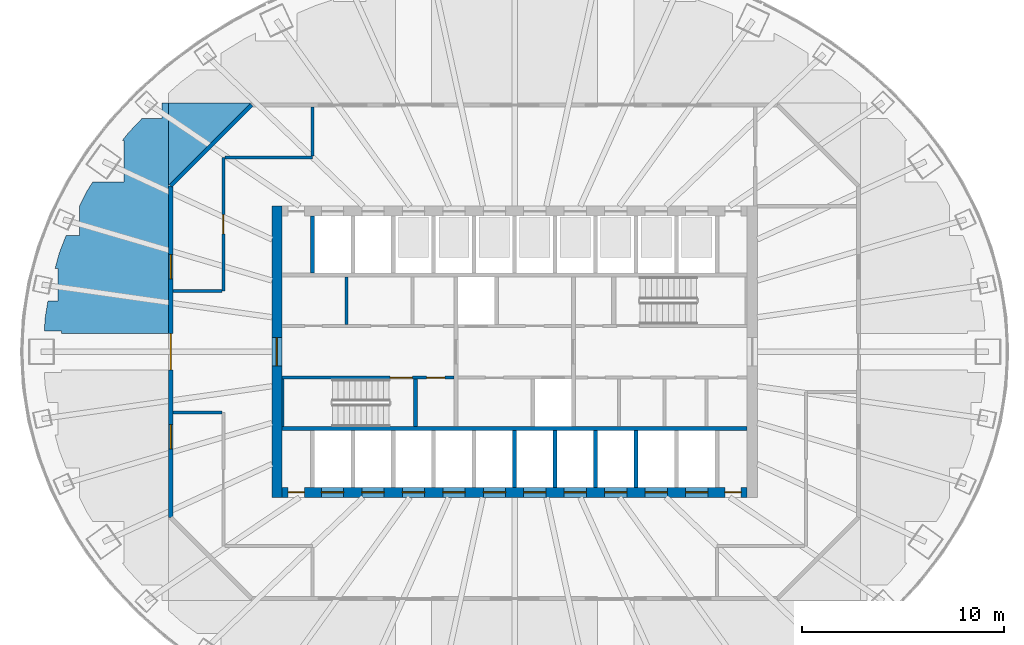
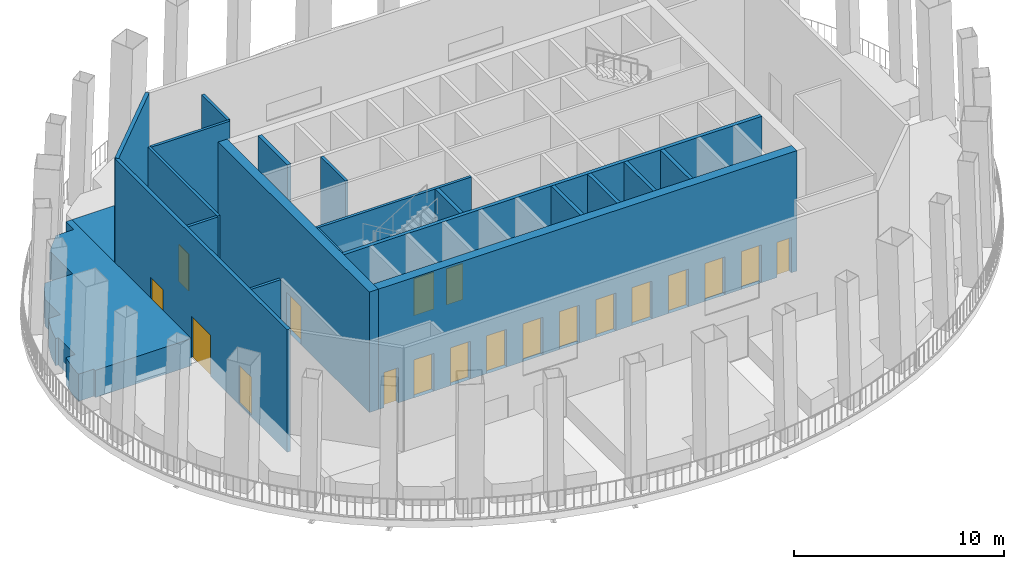
# One storey, part 4 of 15: 21 walls, 17 doors, 2 windows, 19 openings.
"""IFC4 building model written with IfcOpenShell, lengths in metres."""

from ifc_helpers import new_model, si_unit, direction, frame, frame_2d, origin, place, context, subcontext, project, spatial, polyline, rectangle, outline, extrude, material, layer, layer_set, type_object, element, fill, save


model = new_model("IFC4")

# Units and contexts
model_context = context("Model", 3, precision=1e-05, world=origin(), true_north=direction((0.0, 1.0)))
body_context = subcontext(model_context, "Body", "Model", "MODEL_VIEW")
ifc_project = project(units=[si_unit("LENGTHUNIT", "METRE"), si_unit("AREAUNIT", "SQUARE_METRE"), si_unit("VOLUMEUNIT", "CUBIC_METRE"), si_unit("PLANEANGLEUNIT", "RADIAN"), si_unit("MASSUNIT", "GRAM", prefix="KILO")], contexts=[model_context])

# Site, building, storey
site_placement = place(None, origin())
site = spatial("IfcSite", under=ifc_project, at=site_placement, CompositionType="ELEMENT")
building_placement = place(site_placement, origin())
building = spatial("IfcBuilding", under=site, at=building_placement, Name="Siaravel Broadcast Tower", CompositionType="ELEMENT")
storey_placement = place(building_placement, frame((0.0, 0.0, 145.199951171875)))
storey = spatial("IfcBuildingStorey", under=building, at=storey_placement, Name="L35", CompositionType="ELEMENT", Elevation=145.199951171875)

# Wall
ifc_material_1 = material(Name="Concrete blockwork", Category="masonry")
ifc_layer_1 = layer(ifc_material_1, 0.14990234375)
ifc_layer_set_1 = layer_set([ifc_layer_1], Name="Concrete blockwork")
wall_type_1 = type_object("IfcWallType", Name="Core partition 150", PredefinedType="PARTITIONING", material=ifc_layer_set_1)
wall_1_placement = place(storey_placement, frame((-8.30908203125, 1.35009765625, 0.0), z_axis=(0.0, 0.0, 1.0), x_axis=(0.0, 1.0, 0.0)))
element("IfcWall", 1, at=wall_1_placement, inside=storey, type_object=wall_type_1, Name="L35 core partition PNW0", PredefinedType="PARTITIONING", context=body_context, shape_type="SweptSolid", body=[
    extrude(rectangle(XDim=2.349853515625, YDim=0.14990234375, at=frame_2d((1.1748046875, 0.0))), origin(), (0.0, 0.0, 1.0), 7.0),
])

# Wall, opening, door
ifc_material_2 = material(Name="Concrete C60/75", Category="concrete")
ifc_layer_2 = layer(ifc_material_2, 0.5)
ifc_layer_set_2 = layer_set([ifc_layer_2], Name="Concrete C60/75")
wall_type_2 = type_object("IfcWallType", Name="Core wall 500", PredefinedType="SHEAR", material=ifc_layer_set_2)
wall_2_placement = place(storey_placement, frame((-11.75, -7.199951171875, 0.0), z_axis=(0.0, 0.0, 1.0), x_axis=(0.0, 1.0, 0.0)))
wall_2 = element("IfcWall", 2, at=wall_2_placement, inside=storey, type_object=wall_type_2, Name="L35 core wall OW", PredefinedType="SHEAR", context=body_context, shape_type="SweptSolid", body=[
    extrude(rectangle(XDim=14.39990234375, YDim=0.5, at=frame_2d((7.199951171875, 0.0))), origin(), (0.0, 0.0, 1.0), 7.0),
])
opening_1_placement = place(wall_2_placement, frame((6.5, 0.0, 0.0)))
opening_1 = element("IfcOpeningElement", 3, at=opening_1_placement, cuts=wall_2, Name="Opening L35-DX-W", PredefinedType="OPENING", context=body_context, shape_type="SweptSolid", body=[
    extrude(rectangle(XDim=1.39990234375, YDim=2.199951171875, at=frame_2d((0.699951171875, 1.10009765625))), frame((0.0, 0.260009765625, 0.0), z_axis=(0.0, -1.0, 0.0), x_axis=(1.0, 0.0, 0.0)), (0.0, 0.0, 1.0), 0.52001953125),
])
ifc_material_3 = material(Name="Steel", Category="steel")
door_type_1 = type_object("IfcDoorType", Name="Core exit door 1400", OperationType="DOUBLE_DOOR_SINGLE_SWING", PredefinedType="DOOR", material=ifc_material_3)
door_1_placement = place(opening_1_placement, origin())
door_1 = element("IfcDoor", 4, at=door_1_placement, inside=storey, type_object=door_type_1, Name="L35 door DX-W", OperationType="DOUBLE_DOOR_SINGLE_SWING", OverallHeight=2.199951171875, OverallWidth=1.39990234375, PredefinedType="DOOR", context=body_context, shape_type="SweptSolid", body=[
    extrude(rectangle(XDim=1.39990234375, YDim=2.199951171875, at=frame_2d((0.699951171875, 1.10009765625))), frame((0.0, 0.02490234375, 0.0), z_axis=(0.0, -1.0, 0.0), x_axis=(1.0, 0.0, 0.0)), (0.0, 0.0, 1.0), 0.050048828125),
])
fill(opening_1, door_1)

# Wall, openings, doors
wall_3_placement = place(storey_placement, frame((-11.5, -6.949951171875, 0.0), z_axis=(0.0, 0.0, 1.0), x_axis=(1.0, 0.0, 0.0)))
wall_3 = element("IfcWall", 5, at=wall_3_placement, inside=storey, type_object=wall_type_2, Name="L35 core wall OS", PredefinedType="SHEAR", context=body_context, shape_type="SweptSolid", body=[
    extrude(rectangle(XDim=23.0, YDim=0.5, at=frame_2d((11.5, 0.0))), origin(), (0.0, 0.0, 1.0), 7.0),
])
opening_2_placement = place(wall_3_placement, frame((1.949951171875, 0.0, 0.0)))
opening_2 = element("IfcOpeningElement", 6, at=opening_2_placement, cuts=wall_3, Name="Opening LD-LP1-L35", PredefinedType="OPENING", context=body_context, shape_type="SweptSolid", body=[
    extrude(rectangle(XDim=1.10009765625, YDim=2.199951171875, at=frame_2d((0.550048828125, 1.10009765625))), frame((0.0, 0.260009765625, 0.0), z_axis=(0.0, -1.0, 0.0), x_axis=(1.0, 0.0, 0.0)), (0.0, 0.0, 1.0), 0.52001953125),
])
opening_3_placement = place(wall_3_placement, frame((3.949951171875, 0.0, 0.0)))
opening_3 = element("IfcOpeningElement", 7, at=opening_3_placement, cuts=wall_3, Name="Opening LD-LP2-L35", PredefinedType="OPENING", context=body_context, shape_type="SweptSolid", body=[
    extrude(rectangle(XDim=1.10009765625, YDim=2.199951171875, at=frame_2d((0.550048828125, 1.10009765625))), frame((0.0, 0.260009765625, 0.0), z_axis=(0.0, -1.0, 0.0), x_axis=(1.0, 0.0, 0.0)), (0.0, 0.0, 1.0), 0.52001953125),
])
opening_4_placement = place(wall_3_placement, frame((5.949951171875, 0.0, 0.0)))
opening_4 = element("IfcOpeningElement", 8, at=opening_4_placement, cuts=wall_3, Name="Opening LD-LP3-L35", PredefinedType="OPENING", context=body_context, shape_type="SweptSolid", body=[
    extrude(rectangle(XDim=1.10009765625, YDim=2.199951171875, at=frame_2d((0.550048828125, 1.10009765625))), frame((0.0, 0.260009765625, 0.0), z_axis=(0.0, -1.0, 0.0), x_axis=(1.0, 0.0, 0.0)), (0.0, 0.0, 1.0), 0.52001953125),
])
opening_5_placement = place(wall_3_placement, frame((7.949951171875, 0.0, 0.0)))
opening_5 = element("IfcOpeningElement", 9, at=opening_5_placement, cuts=wall_3, Name="Opening LD-LP4-L35", PredefinedType="OPENING", context=body_context, shape_type="SweptSolid", body=[
    extrude(rectangle(XDim=1.10009765625, YDim=2.199951171875, at=frame_2d((0.550048828125, 1.10009765625))), frame((0.0, 0.260009765625, 0.0), z_axis=(0.0, -1.0, 0.0), x_axis=(1.0, 0.0, 0.0)), (0.0, 0.0, 1.0), 0.52001953125),
])
opening_6_placement = place(wall_3_placement, frame((9.949951171875, 0.0, 0.0)))
opening_6 = element("IfcOpeningElement", 10, at=opening_6_placement, cuts=wall_3, Name="Opening LD-LP5-L35", PredefinedType="OPENING", context=body_context, shape_type="SweptSolid", body=[
    extrude(rectangle(XDim=1.10009765625, YDim=2.199951171875, at=frame_2d((0.550048828125, 1.10009765625))), frame((0.0, 0.260009765625, 0.0), z_axis=(0.0, -1.0, 0.0), x_axis=(1.0, 0.0, 0.0)), (0.0, 0.0, 1.0), 0.52001953125),
])
opening_7_placement = place(wall_3_placement, frame((11.949951171875, 0.0, 0.0)))
opening_7 = element("IfcOpeningElement", 11, at=opening_7_placement, cuts=wall_3, Name="Opening LD-LP6-L35", PredefinedType="OPENING", context=body_context, shape_type="SweptSolid", body=[
    extrude(rectangle(XDim=1.10009765625, YDim=2.199951171875, at=frame_2d((0.550048828125, 1.10009765625))), frame((0.0, 0.260009765625, 0.0), z_axis=(0.0, -1.0, 0.0), x_axis=(1.0, 0.0, 0.0)), (0.0, 0.0, 1.0), 0.52001953125),
])
opening_8_placement = place(wall_3_placement, frame((13.949951171875, 0.0, 0.0)))
opening_8 = element("IfcOpeningElement", 12, at=opening_8_placement, cuts=wall_3, Name="Opening LD-LP7-L35", PredefinedType="OPENING", context=body_context, shape_type="SweptSolid", body=[
    extrude(rectangle(XDim=1.10009765625, YDim=2.199951171875, at=frame_2d((0.550048828125, 1.10009765625))), frame((0.0, 0.260009765625, 0.0), z_axis=(0.0, -1.0, 0.0), x_axis=(1.0, 0.0, 0.0)), (0.0, 0.0, 1.0), 0.52001953125),
])
opening_9_placement = place(wall_3_placement, frame((15.949951171875, 0.0, 0.0)))
opening_9 = element("IfcOpeningElement", 13, at=opening_9_placement, cuts=wall_3, Name="Opening LD-LP8-L35", PredefinedType="OPENING", context=body_context, shape_type="SweptSolid", body=[
    extrude(rectangle(XDim=1.10009765625, YDim=2.199951171875, at=frame_2d((0.550048828125, 1.10009765625))), frame((0.0, 0.260009765625, 0.0), z_axis=(0.0, -1.0, 0.0), x_axis=(1.0, 0.0, 0.0)), (0.0, 0.0, 1.0), 0.52001953125),
])
opening_10_placement = place(wall_3_placement, frame((17.949951171875, 0.0, 0.0)))
opening_10 = element("IfcOpeningElement", 14, at=opening_10_placement, cuts=wall_3, Name="Opening LD-SH1-L35", PredefinedType="OPENING", context=body_context, shape_type="SweptSolid", body=[
    extrude(rectangle(XDim=1.10009765625, YDim=2.199951171875, at=frame_2d((0.550048828125, 1.10009765625))), frame((0.0, 0.260009765625, 0.0), z_axis=(0.0, -1.0, 0.0), x_axis=(1.0, 0.0, 0.0)), (0.0, 0.0, 1.0), 0.52001953125),
])
opening_11_placement = place(wall_3_placement, frame((19.949951171875, 0.0, 0.0)))
opening_11 = element("IfcOpeningElement", 15, at=opening_11_placement, cuts=wall_3, Name="Opening LD-SV1-L35", PredefinedType="OPENING", context=body_context, shape_type="SweptSolid", body=[
    extrude(rectangle(XDim=1.10009765625, YDim=2.199951171875, at=frame_2d((0.550048828125, 1.10009765625))), frame((0.0, 0.260009765625, 0.0), z_axis=(0.0, -1.0, 0.0), x_axis=(1.0, 0.0, 0.0)), (0.0, 0.0, 1.0), 0.52001953125),
])
opening_12_placement = place(wall_3_placement, frame((0.300048828125, 0.0, 0.0)))
opening_12 = element("IfcOpeningElement", 16, at=opening_12_placement, cuts=wall_3, Name="Opening L35-DRSW", PredefinedType="OPENING", context=body_context, shape_type="SweptSolid", body=[
    extrude(rectangle(XDim=0.800048828125, YDim=2.050048828125, at=frame_2d((0.39990234375, 1.02490234375))), frame((0.0, 0.260009765625, 0.0), z_axis=(0.0, -1.0, 0.0), x_axis=(1.0, 0.0, 0.0)), (0.0, 0.0, 1.0), 0.52001953125),
])
opening_13_placement = place(wall_3_placement, frame((21.89990234375, 0.0, 0.0)))
opening_13 = element("IfcOpeningElement", 17, at=opening_13_placement, cuts=wall_3, Name="Opening L35-DRSE", PredefinedType="OPENING", context=body_context, shape_type="SweptSolid", body=[
    extrude(rectangle(XDim=0.800048828125, YDim=2.050048828125, at=frame_2d((0.39990234375, 1.02490234375))), frame((0.0, 0.260009765625, 0.0), z_axis=(0.0, -1.0, 0.0), x_axis=(1.0, 0.0, 0.0)), (0.0, 0.0, 1.0), 0.52001953125),
])
ifc_material_4 = material(Name="Stainless steel 316L", Category="steel")
door_type_2 = type_object("IfcDoorType", Name="Lift landing door 1100", OperationType="DOUBLE_DOOR_SLIDING", PredefinedType="DOOR", material=ifc_material_4)
door_2_placement = place(opening_2_placement, origin())
door_2 = element("IfcDoor", 18, at=door_2_placement, inside=storey, type_object=door_type_2, Name="Landing door LP1 L35", OperationType="DOUBLE_DOOR_SLIDING", OverallHeight=2.199951171875, OverallWidth=1.10009765625, PredefinedType="DOOR", context=body_context, shape_type="SweptSolid", body=[
    extrude(rectangle(XDim=1.10009765625, YDim=2.199951171875, at=frame_2d((0.550048828125, 1.10009765625))), frame((0.0, 0.02490234375, 0.0), z_axis=(0.0, -1.0, 0.0), x_axis=(1.0, 0.0, 0.0)), (0.0, 0.0, 1.0), 0.050048828125),
])
fill(opening_2, door_2)
door_3_placement = place(opening_3_placement, origin())
door_3 = element("IfcDoor", 19, at=door_3_placement, inside=storey, type_object=door_type_2, Name="Landing door LP2 L35", OperationType="DOUBLE_DOOR_SLIDING", OverallHeight=2.199951171875, OverallWidth=1.10009765625, PredefinedType="DOOR", context=body_context, shape_type="SweptSolid", body=[
    extrude(rectangle(XDim=1.10009765625, YDim=2.199951171875, at=frame_2d((0.550048828125, 1.10009765625))), frame((0.0, 0.02490234375, 0.0), z_axis=(0.0, -1.0, 0.0), x_axis=(1.0, 0.0, 0.0)), (0.0, 0.0, 1.0), 0.050048828125),
])
fill(opening_3, door_3)
door_4_placement = place(opening_4_placement, origin())
door_4 = element("IfcDoor", 20, at=door_4_placement, inside=storey, type_object=door_type_2, Name="Landing door LP3 L35", OperationType="DOUBLE_DOOR_SLIDING", OverallHeight=2.199951171875, OverallWidth=1.10009765625, PredefinedType="DOOR", context=body_context, shape_type="SweptSolid", body=[
    extrude(rectangle(XDim=1.10009765625, YDim=2.199951171875, at=frame_2d((0.550048828125, 1.10009765625))), frame((0.0, 0.02490234375, 0.0), z_axis=(0.0, -1.0, 0.0), x_axis=(1.0, 0.0, 0.0)), (0.0, 0.0, 1.0), 0.050048828125),
])
fill(opening_4, door_4)
door_5_placement = place(opening_5_placement, origin())
door_5 = element("IfcDoor", 21, at=door_5_placement, inside=storey, type_object=door_type_2, Name="Landing door LP4 L35", OperationType="DOUBLE_DOOR_SLIDING", OverallHeight=2.199951171875, OverallWidth=1.10009765625, PredefinedType="DOOR", context=body_context, shape_type="SweptSolid", body=[
    extrude(rectangle(XDim=1.10009765625, YDim=2.199951171875, at=frame_2d((0.550048828125, 1.10009765625))), frame((0.0, 0.02490234375, 0.0), z_axis=(0.0, -1.0, 0.0), x_axis=(1.0, 0.0, 0.0)), (0.0, 0.0, 1.0), 0.050048828125),
])
fill(opening_5, door_5)
door_6_placement = place(opening_6_placement, origin())
door_6 = element("IfcDoor", 22, at=door_6_placement, inside=storey, type_object=door_type_2, Name="Landing door LP5 L35", OperationType="DOUBLE_DOOR_SLIDING", OverallHeight=2.199951171875, OverallWidth=1.10009765625, PredefinedType="DOOR", context=body_context, shape_type="SweptSolid", body=[
    extrude(rectangle(XDim=1.10009765625, YDim=2.199951171875, at=frame_2d((0.550048828125, 1.10009765625))), frame((0.0, 0.02490234375, 0.0), z_axis=(0.0, -1.0, 0.0), x_axis=(1.0, 0.0, 0.0)), (0.0, 0.0, 1.0), 0.050048828125),
])
fill(opening_6, door_6)
door_7_placement = place(opening_7_placement, origin())
door_7 = element("IfcDoor", 23, at=door_7_placement, inside=storey, type_object=door_type_2, Name="Landing door LP6 L35", OperationType="DOUBLE_DOOR_SLIDING", OverallHeight=2.199951171875, OverallWidth=1.10009765625, PredefinedType="DOOR", context=body_context, shape_type="SweptSolid", body=[
    extrude(rectangle(XDim=1.10009765625, YDim=2.199951171875, at=frame_2d((0.550048828125, 1.10009765625))), frame((0.0, 0.02490234375, 0.0), z_axis=(0.0, -1.0, 0.0), x_axis=(1.0, 0.0, 0.0)), (0.0, 0.0, 1.0), 0.050048828125),
])
fill(opening_7, door_7)
door_8_placement = place(opening_8_placement, origin())
door_8 = element("IfcDoor", 24, at=door_8_placement, inside=storey, type_object=door_type_2, Name="Landing door LP7 L35", OperationType="DOUBLE_DOOR_SLIDING", OverallHeight=2.199951171875, OverallWidth=1.10009765625, PredefinedType="DOOR", context=body_context, shape_type="SweptSolid", body=[
    extrude(rectangle(XDim=1.10009765625, YDim=2.199951171875, at=frame_2d((0.550048828125, 1.10009765625))), frame((0.0, 0.02490234375, 0.0), z_axis=(0.0, -1.0, 0.0), x_axis=(1.0, 0.0, 0.0)), (0.0, 0.0, 1.0), 0.050048828125),
])
fill(opening_8, door_8)
door_9_placement = place(opening_9_placement, origin())
door_9 = element("IfcDoor", 25, at=door_9_placement, inside=storey, type_object=door_type_2, Name="Landing door LP8 L35", OperationType="DOUBLE_DOOR_SLIDING", OverallHeight=2.199951171875, OverallWidth=1.10009765625, PredefinedType="DOOR", context=body_context, shape_type="SweptSolid", body=[
    extrude(rectangle(XDim=1.10009765625, YDim=2.199951171875, at=frame_2d((0.550048828125, 1.10009765625))), frame((0.0, 0.02490234375, 0.0), z_axis=(0.0, -1.0, 0.0), x_axis=(1.0, 0.0, 0.0)), (0.0, 0.0, 1.0), 0.050048828125),
])
fill(opening_9, door_9)
door_10_placement = place(opening_10_placement, origin())
door_10 = element("IfcDoor", 26, at=door_10_placement, inside=storey, type_object=door_type_2, Name="Landing door SH1 L35", OperationType="DOUBLE_DOOR_SLIDING", OverallHeight=2.199951171875, OverallWidth=1.10009765625, PredefinedType="DOOR", context=body_context, shape_type="SweptSolid", body=[
    extrude(rectangle(XDim=1.10009765625, YDim=2.199951171875, at=frame_2d((0.550048828125, 1.10009765625))), frame((0.0, 0.02490234375, 0.0), z_axis=(0.0, -1.0, 0.0), x_axis=(1.0, 0.0, 0.0)), (0.0, 0.0, 1.0), 0.050048828125),
])
fill(opening_10, door_10)
door_type_3 = type_object("IfcDoorType", Name="Riser door 800", OperationType="SINGLE_SWING_LEFT", PredefinedType="DOOR", material=ifc_material_3)
door_11_placement = place(opening_12_placement, origin())
door_11 = element("IfcDoor", 27, at=door_11_placement, inside=storey, type_object=door_type_3, Name="L35 door DRSW", OperationType="SINGLE_SWING_LEFT", OverallHeight=2.050048828125, OverallWidth=0.800048828125, PredefinedType="DOOR", context=body_context, shape_type="SweptSolid", body=[
    extrude(rectangle(XDim=0.800048828125, YDim=2.050048828125, at=frame_2d((0.39990234375, 1.02490234375))), frame((0.0, 0.02490234375, 0.0), z_axis=(0.0, -1.0, 0.0), x_axis=(1.0, 0.0, 0.0)), (0.0, 0.0, 1.0), 0.050048828125),
])
fill(opening_12, door_11)
door_12_placement = place(opening_13_placement, origin())
door_12 = element("IfcDoor", 28, at=door_12_placement, inside=storey, type_object=door_type_3, Name="L35 door DRSE", OperationType="SINGLE_SWING_LEFT", OverallHeight=2.050048828125, OverallWidth=0.800048828125, PredefinedType="DOOR", context=body_context, shape_type="SweptSolid", body=[
    extrude(rectangle(XDim=0.800048828125, YDim=2.050048828125, at=frame_2d((0.39990234375, 1.02490234375))), frame((0.0, 0.02490234375, 0.0), z_axis=(0.0, -1.0, 0.0), x_axis=(1.0, 0.0, 0.0)), (0.0, 0.0, 1.0), 0.050048828125),
])
fill(opening_13, door_12)
door_type_4 = type_object("IfcDoorType", Name="Service lift landing door 1100", OperationType="DOUBLE_DOOR_SLIDING", PredefinedType="DOOR", material=ifc_material_4)
door_13_placement = place(opening_11_placement, origin())
door_13 = element("IfcDoor", 29, at=door_13_placement, inside=storey, type_object=door_type_4, Name="Landing door SV1 L35", OperationType="DOUBLE_DOOR_SLIDING", OverallHeight=2.199951171875, OverallWidth=1.10009765625, PredefinedType="DOOR", context=body_context, shape_type="SweptSolid", body=[
    extrude(rectangle(XDim=1.10009765625, YDim=2.199951171875, at=frame_2d((0.550048828125, 1.10009765625))), frame((0.0, 0.02490234375, 0.0), z_axis=(0.0, -1.0, 0.0), x_axis=(1.0, 0.0, 0.0)), (0.0, 0.0, 1.0), 0.050048828125),
])
fill(opening_11, door_13)

# Wall, opening, door
ifc_material_5 = material(Name="Gypsum board partition", Category="gypsum")
ifc_layer_3 = layer(ifc_material_5, 0.14990234375)
ifc_layer_set_3 = layer_set([ifc_layer_3], Name="Gypsum board partition")
wall_type_3 = type_object("IfcWallType", Name="Corridor wall 150", PredefinedType="PARTITIONING", material=ifc_layer_set_3)
wall_4_placement = place(storey_placement, frame((-14.39990234375, 3.0, 0.0), z_axis=(0.0, 0.0, 1.0), x_axis=(0.0, 1.0, 0.0)))
wall_4 = element("IfcWall", 30, at=wall_4_placement, inside=storey, type_object=wall_type_3, Name="L35 partition 3", PredefinedType="PARTITIONING", context=body_context, shape_type="SweptSolid", body=[
    extrude(rectangle(XDim=6.60009765625, YDim=0.14990234375, at=frame_2d((3.300048828125, 0.0))), origin(), (0.0, 0.0, 1.0), 6.10009765625),
])
opening_14_placement = place(wall_4_placement, frame((2.824951171875, 0.0, 0.0)))
opening_14 = element("IfcOpeningElement", 31, at=opening_14_placement, cuts=wall_4, Name="Opening L35-002", PredefinedType="OPENING", context=body_context, shape_type="SweptSolid", body=[
    extrude(rectangle(XDim=0.949951171875, YDim=2.14990234375, at=frame_2d((0.47509765625, 1.074951171875))), frame((0.0, 0.0849609375, 0.0), z_axis=(0.0, -1.0, 0.0), x_axis=(1.0, 0.0, 0.0)), (0.0, 0.0, 1.0), 0.169921875),
])
ifc_material_6 = material(Name="Timber veneer", Category="wood")
door_type_5 = type_object("IfcDoorType", Name="Office door 950", OperationType="SINGLE_SWING_LEFT", PredefinedType="DOOR", material=ifc_material_6)
door_14_placement = place(opening_14_placement, origin())
door_14 = element("IfcDoor", 32, at=door_14_placement, inside=storey, type_object=door_type_5, Name="L35 door to Presenter studio", OperationType="SINGLE_SWING_RIGHT", OverallHeight=2.14990234375, OverallWidth=0.949951171875, PredefinedType="DOOR", context=body_context, shape_type="SweptSolid", body=[
    extrude(rectangle(XDim=0.949951171875, YDim=2.14990234375, at=frame_2d((0.47509765625, 1.074951171875))), frame((0.0, 0.02490234375, 0.0), z_axis=(0.0, -1.0, 0.0), x_axis=(1.0, 0.0, 0.0)), (0.0, 0.0, 1.0), 0.050048828125),
])
fill(opening_14, door_14)

# Walls
wall_5_placement = place(storey_placement, frame((-14.322998046875, 9.60009765625, 0.0), z_axis=(0.0, 0.0, 1.0), x_axis=(1.0, 0.0, 0.0)))
element("IfcWall", 33, at=wall_5_placement, inside=storey, type_object=wall_type_3, Name="L35 partition 6", PredefinedType="PARTITIONING", context=body_context, shape_type="SweptSolid", body=[
    extrude(rectangle(XDim=4.322998046875, YDim=0.14990234375, at=frame_2d((2.16162109375, 0.0))), origin(), (0.0, 0.0, 1.0), 6.10009765625),
])
wall_6_placement = place(storey_placement, frame((-10.0, 9.677001953125, 0.0), z_axis=(0.0, 0.0, 1.0), x_axis=(0.0, 1.0, 0.0)))
element("IfcWall", 34, at=wall_6_placement, inside=storey, type_object=wall_type_3, Name="L35 partition 10", PredefinedType="PARTITIONING", context=body_context, shape_type="SweptSolid", body=[
    extrude(rectangle(XDim=2.423095703125, YDim=0.14990234375, at=frame_2d((1.21142578125, 0.0))), origin(), (0.0, 0.0, 1.0), 6.10009765625),
])
for number, where, z_axis, x_axis, name in (
    (35, (-16.89990234375, 3.0, 0.0), (0.0, 0.0, 1.0), (1.0, 0.0, 0.0), "L35 partition 12"),
    (36, (-14.47705078125, -3.0, 0.0), (0.0, 0.0, 1.0), (-1.0, 0.0, 0.0), "L35 partition 13"),
):
    element("IfcWall", number, at=place(storey_placement, frame(where, z_axis=z_axis, x_axis=x_axis)), inside=storey, type_object=wall_type_3, Name=name, PredefinedType="PARTITIONING", context=body_context, shape_type="SweptSolid", body=[
        extrude(rectangle(XDim=2.4228515625, YDim=0.14990234375, at=frame_2d((1.21142578125, 0.0))), origin(), (0.0, 0.0, 1.0), 6.10009765625),
    ])
ifc_material_7 = material(Name="Concrete C40/50", Category="concrete")
ifc_layer_4 = layer(ifc_material_7, 1.0)
ifc_layer_set_4 = layer_set([ifc_layer_4], Name="Concrete C40/50")
wall_type_4 = type_object("IfcWallType", Name="Garden planter box", PredefinedType="ELEMENTEDWALL", material=ifc_layer_set_4)
wall_7_placement = place(storey_placement, frame((0.0, 0.0, -0.39990234375)))
element("IfcWall", 37, at=wall_7_placement, inside=storey, type_object=wall_type_4, Name="L35 garden planting bed 08", PredefinedType="ELEMENTEDWALL", context=body_context, shape_type="SweptSolid", body=[
    extrude(outline(polyline([(-23.072265625, 2.518798828125), (-23.214111328125, 1.6455078125), (-23.24755859375, 1.02490234375), (-22.391845703125, 1.02490234375), (-22.391845703125, 0.89990234375), (-17.10009765625, 0.89990234375), (-17.10009765625, 8.241455078125), (-17.10009765625, 12.300048828125), (-17.422119140625, 12.300048828125), (-17.422119140625, 11.535888671875), (-18.418701171875, 11.535888671875), (-19.08837890625, 10.828857421875), (-19.400390625, 10.432373046875), (-19.30810546875, 10.432373046875), (-19.30810546875, 8.38232421875), (-20.8603515625, 8.38232421875), (-21.119384765625, 7.97900390625), (-21.507080078125, 7.220703125), (-21.507080078125, 5.74365234375), (-22.17529296875, 5.74365234375), (-22.5087890625, 4.886474609375), (-22.71875, 4.118896484375), (-22.562255859375, 4.118896484375), (-22.562255859375, 2.518798828125), (-23.072265625, 2.518798828125)])), origin(), (0.0, 0.0, 1.0), 1.579833984375),
])
wall_8_placement = place(storey_placement, frame((0.0, 0.0, -0.39990234375)))
element("IfcWall", 38, at=wall_8_placement, inside=storey, type_object=wall_type_4, Name="L35 garden planting bed 10", PredefinedType="ELEMENTEDWALL", context=body_context, shape_type="SweptSolid", body=[
    extrude(outline(polyline([(-13.04150390625, 12.300048828125), (-17.10009765625, 12.300048828125), (-17.10009765625, 8.241455078125), (-13.04150390625, 12.300048828125)])), origin(), (0.0, 0.0, 1.0), 1.579833984375),
])
ifc_layer_5 = layer(ifc_material_2, 0.10009765625)
ifc_layer_set_5 = layer_set([ifc_layer_5], Name="Concrete C60/75")
wall_type_5 = type_object("IfcWallType", Name="Shaft wall 100", PredefinedType="SHEAR", material=ifc_layer_set_5)
wall_9_placement = place(storey_placement, frame((-11.449951171875, -3.699951171875, 0.0), z_axis=(0.0, 0.0, 1.0), x_axis=(0.0, 1.0, 0.0)))
element("IfcWall", 39, at=wall_9_placement, inside=storey, type_object=wall_type_5, Name="L35 core wall ST1W", PredefinedType="SHEAR", context=body_context, shape_type="SweptSolid", body=[
    extrude(rectangle(XDim=2.349853515625, YDim=0.10009765625, at=frame_2d((1.1748046875, 0.0))), origin(), (0.0, 0.0, 1.0), 7.0),
])

# Wall, openings, doors
ifc_layer_6 = layer(ifc_material_2, 0.14990234375)
ifc_layer_set_6 = layer_set([ifc_layer_6], Name="Concrete C60/75")
wall_type_6 = type_object("IfcWallType", Name="Shaft wall 150", PredefinedType="SHEAR", material=ifc_layer_set_6)
wall_10_placement = place(storey_placement, frame((-11.5, -1.27490234375, 0.0), z_axis=(0.0, 0.0, 1.0), x_axis=(1.0, 0.0, 0.0)))
wall_10 = element("IfcWall", 40, at=wall_10_placement, inside=storey, type_object=wall_type_6, Name="L35 core wall CSW", PredefinedType="SHEAR", context=body_context, shape_type="SweptSolid", body=[
    extrude(rectangle(XDim=8.5, YDim=0.14990234375, at=frame_2d((4.25, 0.0))), origin(), (0.0, 0.0, 1.0), 7.0),
])
opening_15_placement = place(wall_10_placement, frame((5.35009765625, 0.0, 0.0)))
opening_15 = element("IfcOpeningElement", 41, at=opening_15_placement, cuts=wall_10, Name="Opening L35-DS-1", PredefinedType="OPENING", context=body_context, shape_type="SweptSolid", body=[
    extrude(rectangle(XDim=1.10009765625, YDim=2.14990234375, at=frame_2d((0.550048828125, 1.074951171875))), frame((0.0, 0.0849609375, 0.0), z_axis=(0.0, -1.0, 0.0), x_axis=(1.0, 0.0, 0.0)), (0.0, 0.0, 1.0), 0.169921875),
])
opening_16_placement = place(wall_10_placement, frame((7.14990234375, 0.0, 0.0)))
opening_16 = element("IfcOpeningElement", 42, at=opening_16_placement, cuts=wall_10, Name="Opening L35-DSW0", PredefinedType="OPENING", context=body_context, shape_type="SweptSolid", body=[
    extrude(rectangle(XDim=0.89990234375, YDim=2.10009765625, at=frame_2d((0.449951171875, 1.050048828125))), frame((0.0, 0.0849609375, 0.0), z_axis=(0.0, -1.0, 0.0), x_axis=(1.0, 0.0, 0.0)), (0.0, 0.0, 1.0), 0.169921875),
])
door_type_6 = type_object("IfcDoorType", Name="Core room door 900", OperationType="SINGLE_SWING_LEFT", PredefinedType="DOOR", material=ifc_material_6)
door_15_placement = place(opening_16_placement, origin())
door_15 = element("IfcDoor", 43, at=door_15_placement, inside=storey, type_object=door_type_6, Name="L35 door DSW0", OperationType="SINGLE_SWING_LEFT", OverallHeight=2.10009765625, OverallWidth=0.89990234375, PredefinedType="DOOR", context=body_context, shape_type="SweptSolid", body=[
    extrude(rectangle(XDim=0.89990234375, YDim=2.10009765625, at=frame_2d((0.449951171875, 1.050048828125))), frame((0.0, 0.02490234375, 0.0), z_axis=(0.0, -1.0, 0.0), x_axis=(1.0, 0.0, 0.0)), (0.0, 0.0, 1.0), 0.050048828125),
])
fill(opening_16, door_15)
door_type_7 = type_object("IfcDoorType", Name="Stair door 1100", OperationType="SINGLE_SWING_LEFT", PredefinedType="DOOR", material=ifc_material_3)
door_16_placement = place(opening_15_placement, origin())
door_16 = element("IfcDoor", 44, at=door_16_placement, inside=storey, type_object=door_type_7, Name="L35 door DS-1", OperationType="SINGLE_SWING_LEFT", OverallHeight=2.14990234375, OverallWidth=1.10009765625, PredefinedType="DOOR", context=body_context, shape_type="SweptSolid", body=[
    extrude(rectangle(XDim=1.10009765625, YDim=2.14990234375, at=frame_2d((0.550048828125, 1.074951171875))), frame((0.0, 0.02490234375, 0.0), z_axis=(0.0, -1.0, 0.0), x_axis=(1.0, 0.0, 0.0)), (0.0, 0.0, 1.0), 0.050048828125),
])
fill(opening_15, door_16)

# Walls
ifc_layer_7 = layer(ifc_material_2, 0.199951171875)
ifc_layer_set_7 = layer_set([ifc_layer_7], Name="Concrete C60/75")
wall_type_7 = type_object("IfcWallType", Name="Shaft wall 200", PredefinedType="SHEAR", material=ifc_layer_set_7)
wall_11_placement = place(storey_placement, frame((-11.5, -3.800048828125, 0.0), z_axis=(0.0, 0.0, 1.0), x_axis=(1.0, 0.0, 0.0)))
element("IfcWall", 45, at=wall_11_placement, inside=storey, type_object=wall_type_7, Name="L35 core wall BS", PredefinedType="SHEAR", context=body_context, shape_type="SweptSolid", body=[
    extrude(rectangle(XDim=23.0, YDim=0.199951171875, at=frame_2d((11.5, 0.0))), origin(), (0.0, 0.0, 1.0), 7.0),
])
for number, where, z_axis, x_axis, name in (
    (46, (0.0, -6.699951171875, 0.0), (0.0, 0.0, 1.0), (0.0, 1.0, 0.0), "L35 core wall SWS5"),
    (47, (2.0, -6.699951171875, 0.0), (0.0, 0.0, 1.0), (0.0, 1.0, 0.0), "L35 core wall SWS6"),
    (48, (4.0, -6.699951171875, 0.0), (0.0, 0.0, 1.0), (0.0, 1.0, 0.0), "L35 core wall SWS7"),
    (49, (6.0, -6.699951171875, 0.0), (0.0, 0.0, 1.0), (0.0, 1.0, 0.0), "L35 core wall SWS8"),
    (50, (-10.0, 3.89990234375, 0.0), (0.0, 0.0, 1.0), (0.0, 1.0, 0.0), "L35 core wall SWN0"),
):
    element("IfcWall", number, at=place(storey_placement, frame(where, z_axis=z_axis, x_axis=x_axis)), inside=storey, type_object=wall_type_7, Name=name, PredefinedType="SHEAR", context=body_context, shape_type="SweptSolid", body=[
        extrude(rectangle(XDim=2.800048828125, YDim=0.199951171875, at=frame_2d((1.39990234375, 0.0))), origin(), (0.0, 0.0, 1.0), 7.0),
    ])
wall_12_placement = place(storey_placement, frame((-4.89990234375, -3.699951171875, 0.0), z_axis=(0.0, 0.0, 1.0), x_axis=(0.0, 1.0, 0.0)))
element("IfcWall", 51, at=wall_12_placement, inside=storey, type_object=wall_type_7, Name="L35 core wall ST1E", PredefinedType="SHEAR", context=body_context, shape_type="SweptSolid", body=[
    extrude(rectangle(XDim=2.349853515625, YDim=0.199951171875, at=frame_2d((1.1748046875, 0.0))), origin(), (0.0, 0.0, 1.0), 7.0),
])

# Wall, openings, door, windows
ifc_layer_8 = layer(ifc_material_7, 0.199951171875)
ifc_layer_set_8 = layer_set([ifc_layer_8], Name="Concrete C40/50")
wall_type_8 = type_object("IfcWallType", Name="Sky lobby enclosure wall", PredefinedType="STANDARD", material=ifc_layer_set_8)
wall_13_placement = place(storey_placement, frame((-17.0, -8.199951171875, 0.080078125), z_axis=(0.0, 0.0, 1.0), x_axis=(0.0, 1.0, 0.0)))
wall_13 = element("IfcWall", 52, at=wall_13_placement, inside=storey, type_object=wall_type_8, Name="L35 sky lobby enclosure wall W", PredefinedType="STANDARD", context=body_context, shape_type="SweptSolid", body=[
    extrude(rectangle(XDim=16.39990234375, YDim=0.199951171875, at=frame_2d((8.199951171875, 0.0))), origin(), (0.0, 0.0, 1.0), 7.119873046875),
])
opening_17_placement = place(wall_13_placement, frame((7.300048828125, 0.0, 0.0)))
opening_17 = element("IfcOpeningElement", 53, at=opening_17_placement, cuts=wall_13, Name="Opening L35-GDN-W1", PredefinedType="OPENING", context=body_context, shape_type="SweptSolid", body=[
    extrude(rectangle(XDim=1.800048828125, YDim=2.39990234375, at=frame_2d((0.89990234375, 1.199951171875))), frame((0.0, 0.10986328125, 0.0), z_axis=(0.0, -1.0, 0.0), x_axis=(1.0, 0.0, 0.0)), (0.0, 0.0, 1.0), 0.219970703125),
])
opening_18_placement = place(wall_13_placement, frame((3.39990234375, 0.0, 0.10009765625)))
opening_18 = element("IfcOpeningElement", 54, at=opening_18_placement, cuts=wall_13, Name="Opening WX-2", PredefinedType="OPENING", context=body_context, shape_type="SweptSolid", body=[
    extrude(rectangle(XDim=1.199951171875, YDim=2.199951171875, at=frame_2d((0.60009765625, 1.10009765625))), frame((0.0, 0.10986328125, 0.0), z_axis=(0.0, -1.0, 0.0), x_axis=(1.0, 0.0, 0.0)), (0.0, 0.0, 1.0), 0.219970703125),
])
opening_19_placement = place(wall_13_placement, frame((11.800048828125, 0.0, 0.10009765625)))
opening_19 = element("IfcOpeningElement", 55, at=opening_19_placement, cuts=wall_13, Name="Opening WX-2", PredefinedType="OPENING", context=body_context, shape_type="SweptSolid", body=[
    extrude(rectangle(XDim=1.199951171875, YDim=2.199951171875, at=frame_2d((0.60009765625, 1.10009765625))), frame((0.0, 0.10986328125, 0.0), z_axis=(0.0, -1.0, 0.0), x_axis=(1.0, 0.0, 0.0)), (0.0, 0.0, 1.0), 0.219970703125),
])
ifc_material_8 = material(Name="Aluminium 6063-T6", Category="aluminium")
door_type_8 = type_object("IfcDoorType", Name="Garden door", OperationType="DOUBLE_DOOR_SINGLE_SWING", PredefinedType="DOOR", material=ifc_material_8)
door_17_placement = place(opening_17_placement, origin())
door_17 = element("IfcDoor", 56, at=door_17_placement, inside=storey, type_object=door_type_8, Name="L35 garden door W1", OperationType="DOUBLE_DOOR_SINGLE_SWING", OverallHeight=2.39990234375, OverallWidth=1.800048828125, PredefinedType="DOOR", context=body_context, shape_type="SweptSolid", body=[
    extrude(rectangle(XDim=1.800048828125, YDim=2.39990234375, at=frame_2d((0.89990234375, 1.199951171875))), frame((0.0, 0.02490234375, 0.0), z_axis=(0.0, -1.0, 0.0), x_axis=(1.0, 0.0, 0.0)), (0.0, 0.0, 1.0), 0.050048828125),
])
fill(opening_17, door_17)
window_type = type_object("IfcWindowType", Name="Sky lobby tall window 1200x2200", PartitioningType="SINGLE_PANEL", PredefinedType="WINDOW", material=ifc_material_8)
window_1_placement = place(opening_18_placement, origin())
window_1 = element("IfcWindow", 57, at=window_1_placement, inside=storey, type_object=window_type, Name="L35 sky lobby tall window W1", OverallHeight=2.199951171875, OverallWidth=1.199951171875, PartitioningType="SINGLE_PANEL", PredefinedType="WINDOW", context=body_context, shape_type="SweptSolid", body=[
    extrude(rectangle(XDim=1.199951171875, YDim=2.199951171875, at=frame_2d((0.60009765625, 1.10009765625))), frame((0.0, 0.030029296875, 0.0), z_axis=(0.0, -1.0, 0.0), x_axis=(1.0, 0.0, 0.0)), (0.0, 0.0, 1.0), 0.06005859375),
])
fill(opening_18, window_1)
window_2_placement = place(opening_19_placement, origin())
window_2 = element("IfcWindow", 58, at=window_2_placement, inside=storey, type_object=window_type, Name="L35 sky lobby tall window W2", OverallHeight=2.199951171875, OverallWidth=1.199951171875, PartitioningType="SINGLE_PANEL", PredefinedType="WINDOW", context=body_context, shape_type="SweptSolid", body=[
    extrude(rectangle(XDim=1.199951171875, YDim=2.199951171875, at=frame_2d((0.60009765625, 1.10009765625))), frame((0.0, 0.030029296875, 0.0), z_axis=(0.0, -1.0, 0.0), x_axis=(1.0, 0.0, 0.0)), (0.0, 0.0, 1.0), 0.06005859375),
])
fill(opening_19, window_2)

# Wall
wall_14_placement = place(storey_placement, frame((-17.0, 8.199951171875, 0.080078125), z_axis=(0.0, 0.0, 1.0), x_axis=(0.707106781, 0.707106781, 0.0)))
element("IfcWall", 59, at=wall_14_placement, inside=storey, type_object=wall_type_8, Name="L35 sky lobby enclosure wall NW", PredefinedType="STANDARD", context=body_context, shape_type="SweptSolid", body=[
    extrude(rectangle(XDim=5.65673828125, YDim=0.199951171875, at=frame_2d((2.828369140625, 0.0))), origin(), (0.0, 0.0, 1.0), 7.119873046875),
])

save(model, "model.ifc")
